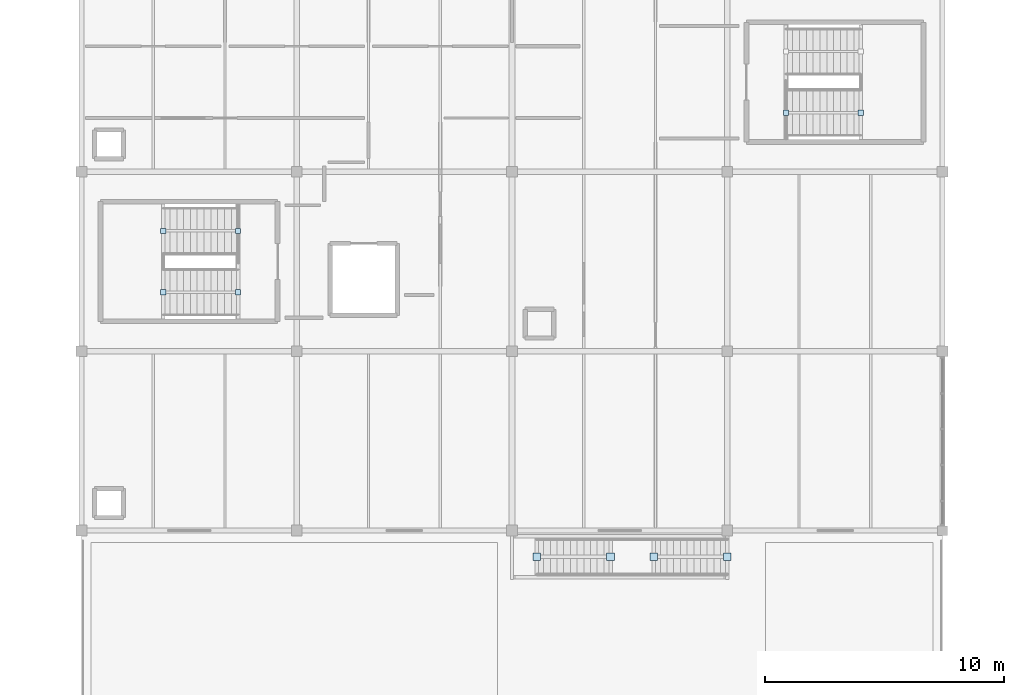
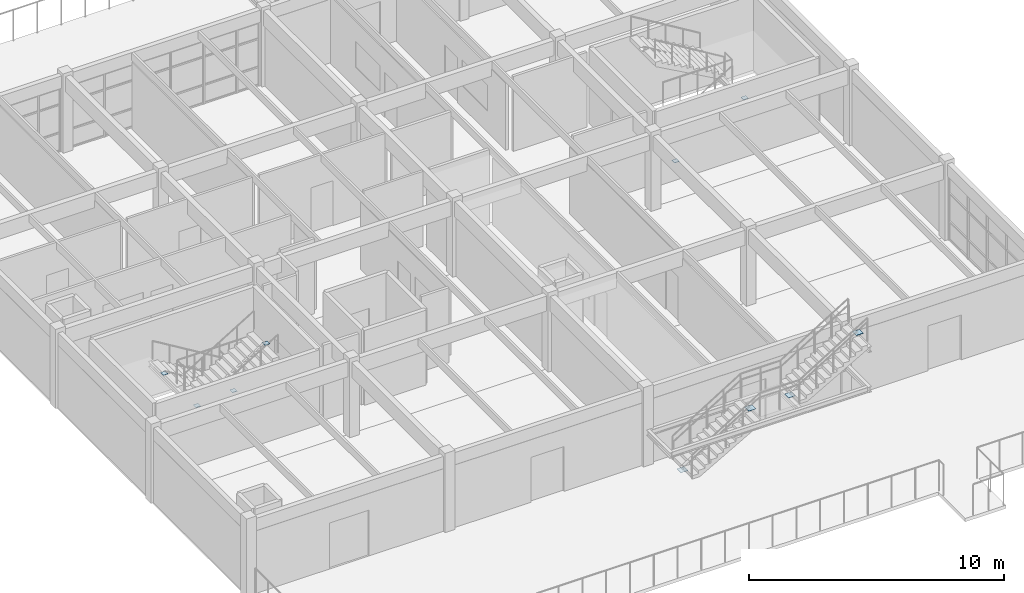
# One storey, part 33 of 45: 10 plates.
"""IFC4 building model written with IfcOpenShell, lengths in metres."""

from ifc_helpers import new_model, si_unit, direction, frame, origin, origin_2d, place, context, subcontext, project, spatial, rectangle, extrude, material, layer, layer_set, type_object, element, save


model = new_model("IFC4")

# Units and contexts
model_context = context("Model", 3, precision=1e-05, world=origin(), true_north=direction((0.0, 1.0)))
body_context = subcontext(model_context, "Body", "Model", "MODEL_VIEW")
ifc_project = project(units=[si_unit("LENGTHUNIT", "METRE"), si_unit("AREAUNIT", "SQUARE_METRE"), si_unit("VOLUMEUNIT", "CUBIC_METRE"), si_unit("PLANEANGLEUNIT", "RADIAN"), si_unit("MASSUNIT", "GRAM", prefix="KILO")], contexts=[model_context])

# Site, building, storey
site_placement = place(None, origin())
site = spatial("IfcSite", under=ifc_project, at=site_placement, CompositionType="ELEMENT")
building_placement = place(site_placement, origin())
building = spatial("IfcBuilding", under=site, at=building_placement, Name="Marnridge Secondary College", CompositionType="ELEMENT")
storey_placement = place(building_placement, frame((0.0, 0.0, 12.300048828125)))
storey = spatial("IfcBuildingStorey", under=building, at=storey_placement, Name="L03", CompositionType="ELEMENT", Elevation=12.300048828125)

# Plates
ifc_material_1 = material(Name="Structural steel plate Grade 350 (AS/NZS 3678, fy = 350 MPa <=12mm, 340 MPa 12-20mm, 330 MPa 20-50mm)", Category="steel")
ifc_layer_1 = layer(ifc_material_1, 0.011962890625)
ifc_layer_set_1 = layer_set([ifc_layer_1], Name="PT-CAP-EXT")
plate_type_1 = type_object("IfcPlateType", Name="PT-CAP-EXT", PredefinedType="SHEET", material=ifc_layer_set_1)
for number, where, z_axis, x_axis, name in (
    (1, (73.041748046875, 43.89990234375, -0.044921875), (0.0, 0.0, 1.0), (1.0, 0.0, 0.0), "Tube end cap STR-065-EC1"),
    (2, (76.118408203125, 43.89990234375, 1.8330078125), (0.0, 0.0, 1.0), (1.0, 0.0, 0.0), "Tube end cap STR-065-EC2"),
    (3, (77.921630859375, 43.89990234375, 1.8349609375), (0.0, 0.0, 1.0), (1.0, 0.0, 0.0), "Tube end cap STR-066-EC1"),
    (4, (80.998291015625, 43.89990234375, 3.7529296875), (0.0, 0.0, 1.0), (1.0, 0.0, 0.0), "Tube end cap STR-066-EC2"),
):
    element("IfcPlate", number, at=place(storey_placement, frame(where, z_axis=z_axis, x_axis=x_axis)), inside=storey, type_object=plate_type_1, Name=name, PredefinedType="SHEET", context=body_context, shape_type="SweptSolid", body=[
        extrude(rectangle(XDim=0.320068359375, YDim=0.320068359375, at=origin_2d()), origin(), (0.0, 0.0, 1.0), 0.011962890625),
    ])
ifc_material_2 = material(Name="Structural steel plate Grade 350 (AS/NZS 3678, fy = 350 MPa <=12mm, 340 MPa 12-20mm, 330 MPa 20-50mm)", Category="steel")
ifc_layer_2 = layer(ifc_material_2, 0.010009765625)
ifc_layer_set_2 = layer_set([ifc_layer_2], Name="PT-CAP-INT")
plate_type_2 = type_object("IfcPlateType", Name="PT-CAP-INT", PredefinedType="SHEET", material=ifc_layer_set_2)
for number, where, z_axis, x_axis, name in (
    (5, (60.54833984375, 57.530029296875, -0.14208984375), (0.0, 0.0, 1.0), (-1.0, 0.0, 0.0), "Tube end cap STR-007-EC1"),
    (6, (57.416748046875, 57.530029296875, 1.7861328125), (0.0, 0.0, 1.0), (-1.0, 0.0, 0.0), "Tube end cap STR-007-EC2"),
    (7, (57.416748046875, 54.969970703125, 1.7880859375), (0.0, 0.0, 1.0), (1.0, 0.0, 0.0), "Tube end cap STR-008-EC1"),
    (8, (60.54833984375, 54.969970703125, 3.67578125), (0.0, 0.0, 1.0), (1.0, 0.0, 0.0), "Tube end cap STR-008-EC2"),
    (9, (83.45166015625, 62.469970703125, -0.14208984375), (0.0, 0.0, 1.0), (1.0, 0.0, 0.0), "Tube end cap STR-017-EC1"),
    (10, (86.583251953125, 62.469970703125, 1.7861328125), (0.0, 0.0, 1.0), (1.0, 0.0, 0.0), "Tube end cap STR-017-EC2"),
):
    element("IfcPlate", number, at=place(storey_placement, frame(where, z_axis=z_axis, x_axis=x_axis)), inside=storey, type_object=plate_type_2, Name=name, PredefinedType="SHEET", context=body_context, shape_type="SweptSolid", body=[
        extrude(rectangle(XDim=0.219970703125, YDim=0.219970703125, at=origin_2d()), origin(), (0.0, 0.0, 1.0), 0.010009765625),
    ])

save(model, "model.ifc")
